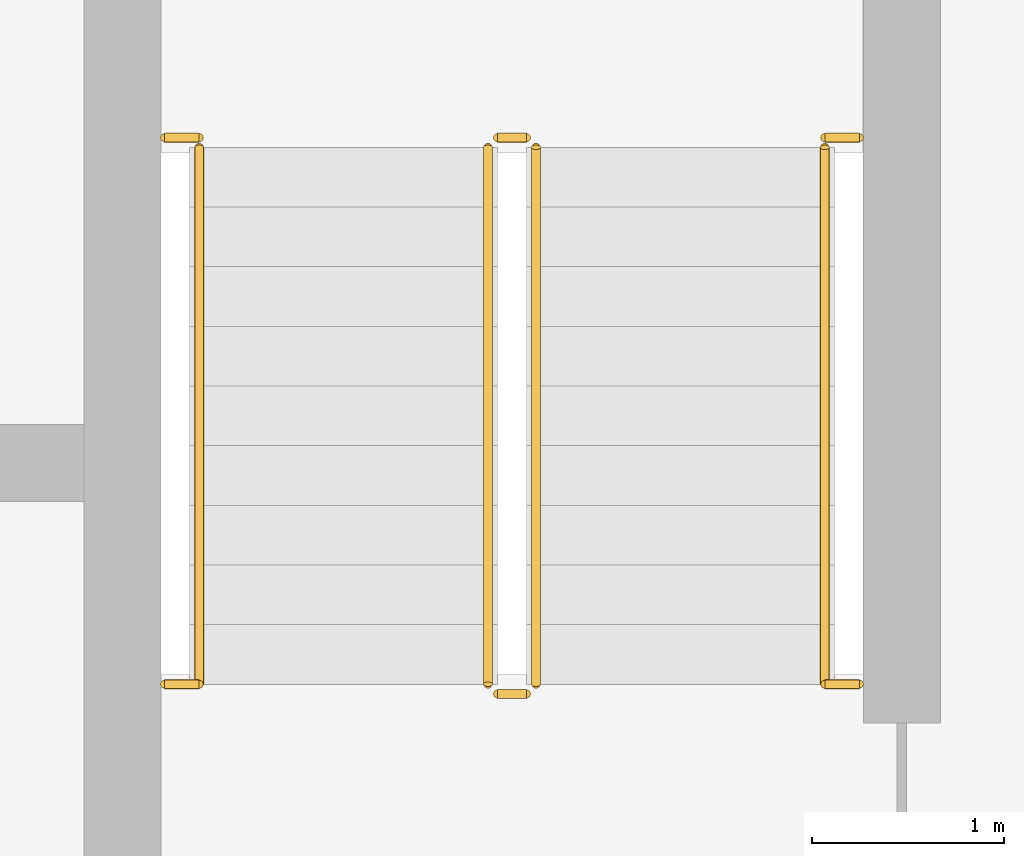
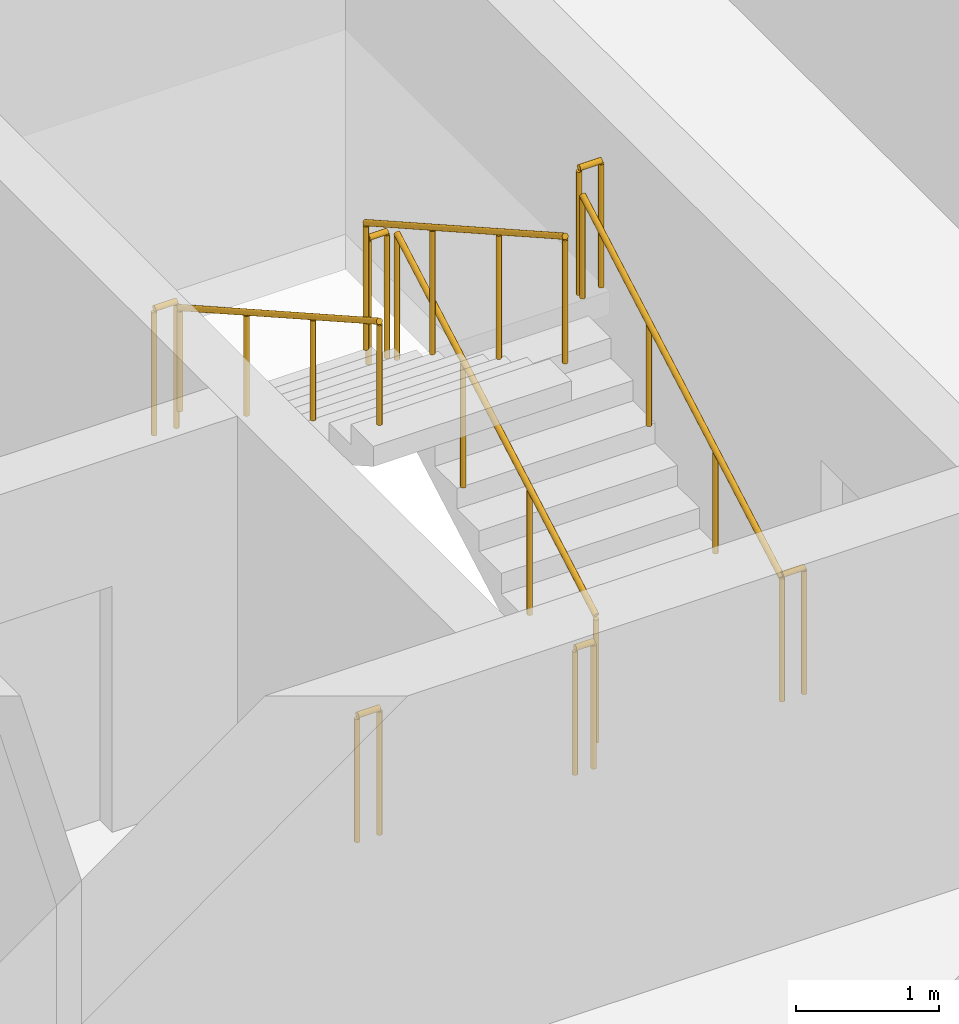
# One storey, part 19 of 21: 10 railings.
"""IFC4 building model written with IfcOpenShell, lengths in metres."""

from ifc_helpers import new_model, si_unit, direction, frame, origin, origin_2d, place, context, subcontext, project, spatial, circle, extrude, material, type_object, element, save


model = new_model("IFC4")

# Units and contexts
model_context = context("Model", 3, precision=1e-05, world=origin(), true_north=direction((0.0, 1.0)))
body_context = subcontext(model_context, "Body", "Model", "MODEL_VIEW")
ifc_project = project(units=[si_unit("LENGTHUNIT", "METRE"), si_unit("AREAUNIT", "SQUARE_METRE"), si_unit("VOLUMEUNIT", "CUBIC_METRE"), si_unit("PLANEANGLEUNIT", "RADIAN"), si_unit("MASSUNIT", "GRAM", prefix="KILO")], contexts=[model_context])

# Site, building, storey
site_placement = place(None, origin())
site = spatial("IfcSite", under=ifc_project, at=site_placement, CompositionType="ELEMENT")
building_placement = place(site_placement, origin())
building = spatial("IfcBuilding", under=site, at=building_placement, Name="Madar Terraces", CompositionType="ELEMENT")
storey_placement = place(building_placement, frame((0.0, 0.0, 268.60009765625)))
storey = spatial("IfcBuildingStorey", under=building, at=storey_placement, Name="L70", CompositionType="ELEMENT", Elevation=268.60009765625)

# Railings
ifc_material_1 = material(Name="Stainless steel railing", Category="steel")
railing_type_1 = type_object("IfcRailingType", Name="Stair guard 1100", PredefinedType="GUARDRAIL", material=ifc_material_1)
railing_1_placement = place(storey_placement, frame((41.449951171875, 17.60009765625, 0.1748046875)))
element("IfcRailing", 1, at=railing_1_placement, inside=storey, type_object=railing_type_1, Name="L70 ST3 stair guard 1", PredefinedType="GUARDRAIL", context=body_context, shape_type="SweptSolid", body=[
    extrude(circle(Radius=0.02392578125, at=origin_2d()), frame((0.0, 0.0, 1.076171875), z_axis=(0.0, 0.870782738816, 0.491667999549), x_axis=(-1.0, 0.0, 0.0)), (0.0, 0.0, 1.0), 3.203857421875),
    extrude(circle(Radius=0.02099609375, at=origin_2d()), origin(), (0.0, 0.0, 1.0), 1.052001953125),
    extrude(circle(Radius=0.02099609375, at=origin_2d()), frame((0.0, 0.929931640625, 0.525146484375)), (0.0, 0.0, 1.0), 1.052001953125),
    extrude(circle(Radius=0.02099609375, at=origin_2d()), frame((0.0, 1.85986328125, 1.050048828125)), (0.0, 0.0, 1.0), 1.052001953125),
    extrude(circle(Radius=0.02099609375, at=origin_2d()), frame((0.0, 2.789794921875, 1.5751953125)), (0.0, 0.0, 1.0), 1.052001953125),
])
railing_2_placement = place(storey_placement, frame((41.39990234375, 20.43994140625, 1.75)))
element("IfcRailing", 2, at=railing_2_placement, inside=storey, type_object=railing_type_1, Name="L70 ST3 stair guard 2", PredefinedType="GUARDRAIL", context=body_context, shape_type="SweptSolid", body=[
    extrude(circle(Radius=0.02392578125, at=origin_2d()), frame((0.0, 0.0, 1.076171875), z_axis=(-1.0, 0.0, 0.0), x_axis=(0.0, -1.0, 0.0)), (0.0, 0.0, 1.0), 0.14990234375),
    extrude(circle(Radius=0.02099609375, at=origin_2d()), origin(), (0.0, 0.0, 1.0), 1.052001953125),
    extrude(circle(Radius=0.02099609375, at=origin_2d()), frame((-0.14990234375, 0.0, 0.0)), (0.0, 0.0, 1.0), 1.052001953125),
])
railing_3_placement = place(storey_placement, frame((41.199951171875, 20.389892578125, 1.9248046875)))
element("IfcRailing", 3, at=railing_3_placement, inside=storey, type_object=railing_type_1, Name="L70 ST3 stair guard 3", PredefinedType="GUARDRAIL", context=body_context, shape_type="SweptSolid", body=[
    extrude(circle(Radius=0.02392578125, at=origin_2d()), frame((0.0, 0.0, 1.076171875), z_axis=(0.0, -0.870782738816, 0.491667999549), x_axis=(1.0, 0.0, 0.0)), (0.0, 0.0, 1.0), 3.203857421875),
    extrude(circle(Radius=0.02099609375, at=origin_2d()), origin(), (0.0, 0.0, 1.0), 1.052001953125),
    extrude(circle(Radius=0.02099609375, at=origin_2d()), frame((0.0, -0.929931640625, 0.525146484375)), (0.0, 0.0, 1.0), 1.052001953125),
    extrude(circle(Radius=0.02099609375, at=origin_2d()), frame((0.0, -1.85986328125, 1.050048828125)), (0.0, 0.0, 1.0), 1.052001953125),
    extrude(circle(Radius=0.02099609375, at=origin_2d()), frame((0.0, -2.789794921875, 1.5751953125)), (0.0, 0.0, 1.0), 1.052001953125),
])
railing_4_placement = place(storey_placement, frame((41.39990234375, 17.550048828125, 0.0)))
element("IfcRailing", 4, at=railing_4_placement, inside=storey, type_object=railing_type_1, Name="L70 ST3 stair guard 4", PredefinedType="GUARDRAIL", context=body_context, shape_type="SweptSolid", body=[
    extrude(circle(Radius=0.02392578125, at=origin_2d()), frame((0.0, 0.0, 1.076171875), z_axis=(-1.0, 0.0, 0.0), x_axis=(0.0, -1.0, 0.0)), (0.0, 0.0, 1.0), 0.14990234375),
    extrude(circle(Radius=0.02099609375, at=origin_2d()), origin(), (0.0, 0.0, 1.0), 1.052001953125),
    extrude(circle(Radius=0.02099609375, at=origin_2d()), frame((-0.14990234375, 0.0, 0.0)), (0.0, 0.0, 1.0), 1.052001953125),
])
for number, where, name in (
    (5, (39.52001953125, 20.43994140625, 1.75), "L70 stair guard seat 1"),
    (6, (42.949951171875, 20.43994140625, 1.75), "L70 stair guard seat 2"),
    (7, (39.52001953125, 17.60009765625, 0.0), "L70 stair guard floor 1"),
    (8, (42.949951171875, 17.60009765625, 0.0), "L70 stair guard floor 2"),
):
    element("IfcRailing", number, at=place(storey_placement, frame(where)), inside=storey, type_object=railing_type_1, Name=name, PredefinedType="GUARDRAIL", context=body_context, shape_type="SweptSolid", body=[
        extrude(circle(Radius=0.02392578125, at=origin_2d()), frame((0.0, 0.0, 1.076171875), z_axis=(1.0, 0.0, 0.0), x_axis=(0.0, 1.0, 0.0)), (0.0, 0.0, 1.0), 0.179931640625),
        extrude(circle(Radius=0.02099609375, at=origin_2d()), origin(), (0.0, 0.0, 1.0), 1.052001953125),
        extrude(circle(Radius=0.02099609375, at=origin_2d()), frame((0.179931640625, 0.0, 0.0)), (0.0, 0.0, 1.0), 1.052001953125),
    ])
ifc_material_2 = material(Name="Stainless steel railing", Category="steel")
railing_type_2 = type_object("IfcRailingType", Name="Stair handrail 900", PredefinedType="HANDRAIL", material=ifc_material_2)
railing_5_placement = place(storey_placement, frame((42.949951171875, 17.60009765625, 0.1748046875)))
element("IfcRailing", 9, at=railing_5_placement, inside=storey, type_object=railing_type_2, Name="L70 ST3 stair handrail 1", PredefinedType="HANDRAIL", context=body_context, shape_type="SweptSolid", body=[
    extrude(circle(Radius=0.02392578125, at=origin_2d()), frame((0.0, 0.0, 0.8759765625), z_axis=(0.0, 0.870782738816, 0.491667999549), x_axis=(-1.0, 0.0, 0.0)), (0.0, 0.0, 1.0), 3.203857421875),
    extrude(circle(Radius=0.02099609375, at=origin_2d()), origin(), (0.0, 0.0, 1.0), 0.851806640625),
    extrude(circle(Radius=0.02099609375, at=origin_2d()), frame((0.0, 0.929931640625, 0.525146484375)), (0.0, 0.0, 1.0), 0.851806640625),
    extrude(circle(Radius=0.02099609375, at=origin_2d()), frame((0.0, 1.85986328125, 1.050048828125)), (0.0, 0.0, 1.0), 0.851806640625),
    extrude(circle(Radius=0.02099609375, at=origin_2d()), frame((0.0, 2.789794921875, 1.5751953125)), (0.0, 0.0, 1.0), 0.851806640625),
])
railing_6_placement = place(storey_placement, frame((39.699951171875, 20.389892578125, 1.9248046875)))
element("IfcRailing", 10, at=railing_6_placement, inside=storey, type_object=railing_type_2, Name="L70 ST3 stair handrail 2", PredefinedType="HANDRAIL", context=body_context, shape_type="SweptSolid", body=[
    extrude(circle(Radius=0.02392578125, at=origin_2d()), frame((0.0, 0.0, 0.8759765625), z_axis=(0.0, -0.870782738816, 0.491667999549), x_axis=(1.0, 0.0, 0.0)), (0.0, 0.0, 1.0), 3.203857421875),
    extrude(circle(Radius=0.02099609375, at=origin_2d()), origin(), (0.0, 0.0, 1.0), 0.851806640625),
    extrude(circle(Radius=0.02099609375, at=origin_2d()), frame((0.0, -0.929931640625, 0.525146484375)), (0.0, 0.0, 1.0), 0.851806640625),
    extrude(circle(Radius=0.02099609375, at=origin_2d()), frame((0.0, -1.85986328125, 1.050048828125)), (0.0, 0.0, 1.0), 0.851806640625),
    extrude(circle(Radius=0.02099609375, at=origin_2d()), frame((0.0, -2.789794921875, 1.5751953125)), (0.0, 0.0, 1.0), 0.851806640625),
])

save(model, "model.ifc")
